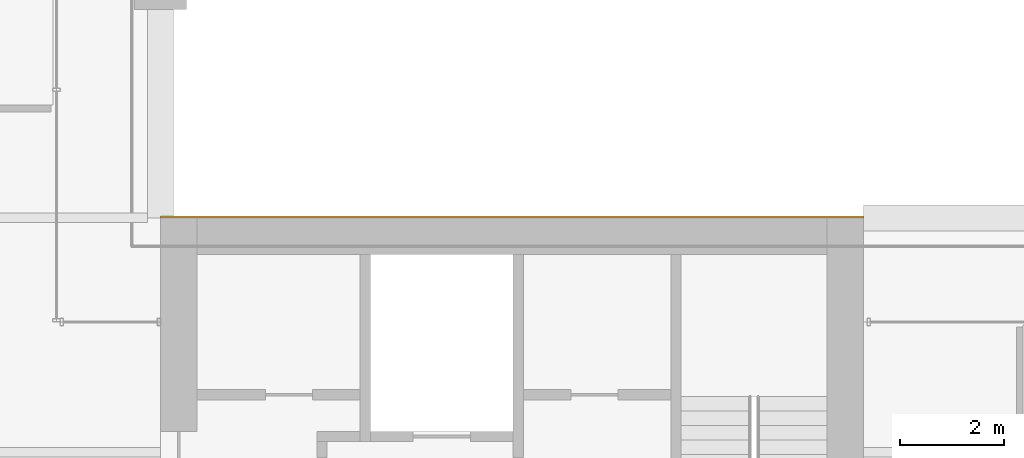
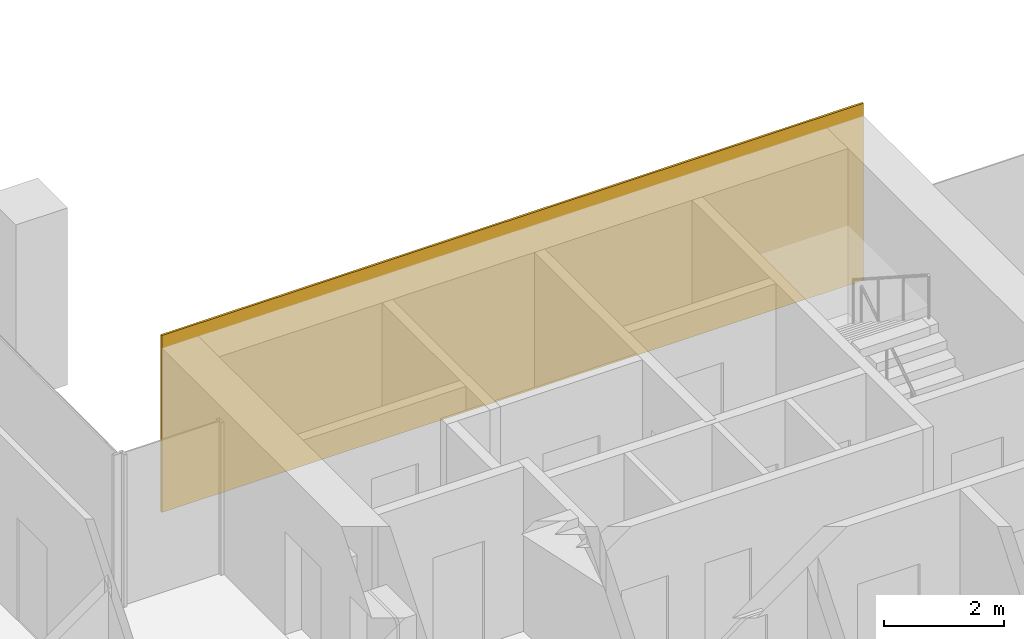
# One storey, part 46 of 46: 1 covering.
"""IFC4 building model written with IfcOpenShell, lengths in metres."""

from ifc_helpers import new_model, si_unit, direction, frame, origin, origin_2d, place, context, subcontext, project, spatial, rectangle, extrude, material, layer, layer_set, type_object, element, save


model = new_model("IFC4")

# Units and contexts
model_context = context("Model", 3, precision=1e-05, world=origin(), true_north=direction((0.0, 1.0)))
body_context = subcontext(model_context, "Body", "Model", "MODEL_VIEW")
ifc_project = project(units=[si_unit("LENGTHUNIT", "METRE"), si_unit("AREAUNIT", "SQUARE_METRE"), si_unit("VOLUMEUNIT", "CUBIC_METRE"), si_unit("PLANEANGLEUNIT", "RADIAN"), si_unit("MASSUNIT", "GRAM", prefix="KILO")], contexts=[model_context])

# Site, building, storey
site_placement = place(None, origin())
site = spatial("IfcSite", under=ifc_project, at=site_placement, CompositionType="ELEMENT")
building_placement = place(site_placement, origin())
building = spatial("IfcBuilding", under=site, at=building_placement, Name="Altepetl Exchange Towers", CompositionType="ELEMENT")
storey_placement = place(building_placement, frame((0.0, 0.0, 102.800048828125)))
storey = spatial("IfcBuildingStorey", under=building, at=storey_placement, Name="L25", CompositionType="ELEMENT", Elevation=102.800048828125)

# Covering
ifc_material = material(Name="Cantera limestone cladding", Category="masonry")
ifc_layer = layer(ifc_material, 0.0400390625)
ifc_layer_set = layer_set([ifc_layer], Name="Cantera limestone cladding")
covering_type = type_object("IfcCoveringType", Name="Stone panel 40 cantera", PredefinedType="CLADDING", material=ifc_layer_set)
covering_placement = place(storey_placement, frame((110.25, 49.52001953125, 0.0), z_axis=(0.0, 0.0, 1.0), x_axis=(-1.0, 0.0, 0.0)))
element("IfcCovering", 1, at=covering_placement, inside=storey, type_object=covering_type, Name="Stone cladding panel", PredefinedType="CLADDING", context=body_context, shape_type="SweptSolid", body=[
    extrude(rectangle(XDim=13.5, YDim=0.0400390625, at=origin_2d()), origin(), (0.0, 0.0, 1.0), 3.60009765625),
])

save(model, "model.ifc")
